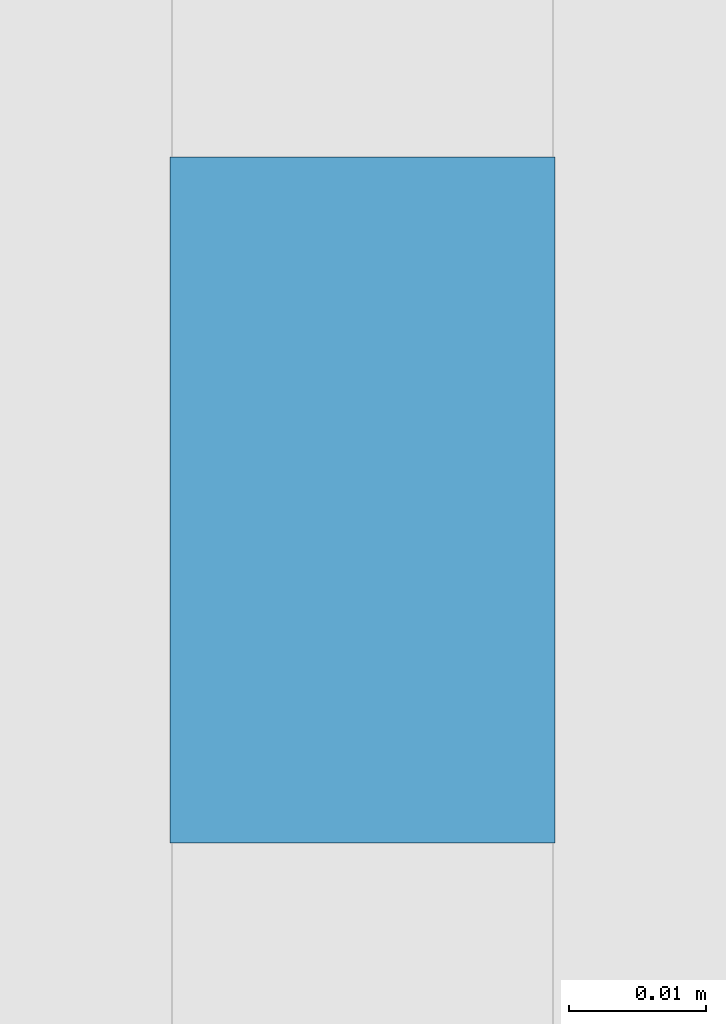
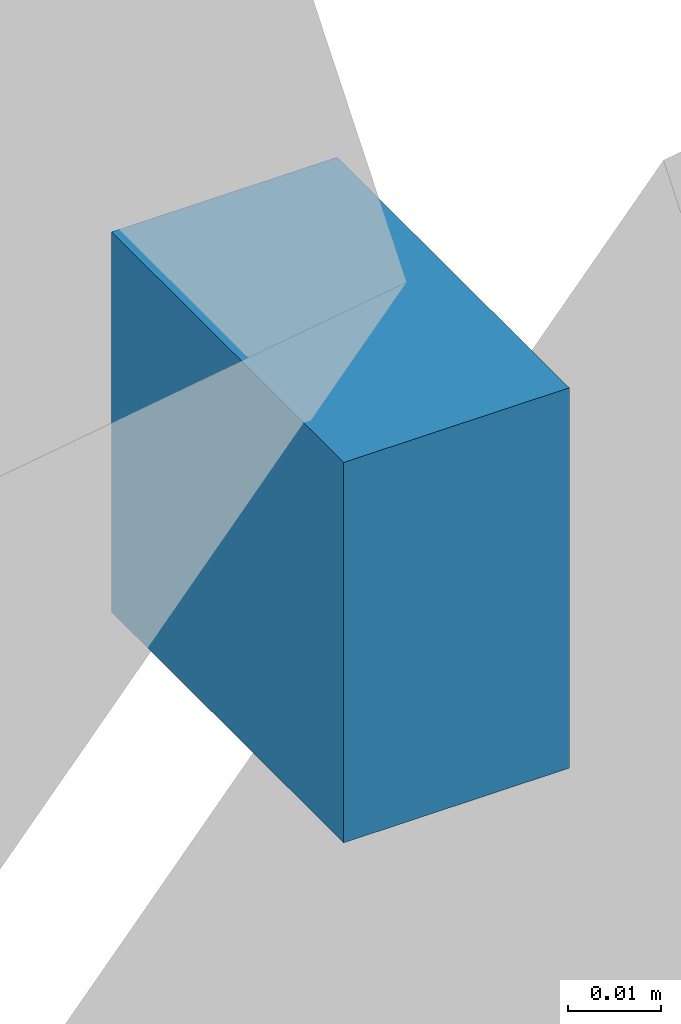
# One storey, part 13 of 16: 1 discrete accessory, 1 element without a shape of its own.
"""IFC4 building model written with IfcOpenShell, lengths in metres."""

from ifc_helpers import new_model, si_unit, direction, frame, origin, origin_2d, place, context, subcontext, project, spatial, rectangle, extrude, material, type_object, element, aggregate, save


model = new_model("IFC4")

# Units and contexts
model_context = context("Model", 3, precision=1e-05, world=origin(), true_north=direction((0.0, 1.0)))
body_context = subcontext(model_context, "Body", "Model", "MODEL_VIEW")
ifc_project = project(units=[si_unit("LENGTHUNIT", "METRE"), si_unit("AREAUNIT", "SQUARE_METRE"), si_unit("VOLUMEUNIT", "CUBIC_METRE"), si_unit("PLANEANGLEUNIT", "RADIAN"), si_unit("MASSUNIT", "GRAM", prefix="KILO")], contexts=[model_context])

# Site, building, storey
site_placement = place(None, origin())
site = spatial("IfcSite", under=ifc_project, at=site_placement, CompositionType="ELEMENT")
building_placement = place(site_placement, origin())
building = spatial("IfcBuilding", under=site, at=building_placement, Name="Tessera Arch", CompositionType="ELEMENT")
storey_placement = place(building_placement, frame((0.0, 0.0, 218.89990234375)))
storey = spatial("IfcBuildingStorey", under=building, at=storey_placement, Name="L52", CompositionType="ELEMENT", Elevation=218.89990234375)

# Curtain wall, discrete accessory
ifc_material = material(Name="CW3 curtain wall")
curtain_wall_type = type_object("IfcCurtainWallType", Name="CW3 curtain wall", PredefinedType="NOTDEFINED", material=ifc_material)
curtain_wall_placement = place(storey_placement, origin())
curtain_wall = element("IfcCurtainWall", 1, at=curtain_wall_placement, inside=storey, type_object=curtain_wall_type, Name="CW3 curtain wall E54.27/1 L52", PredefinedType="NOTDEFINED")
discrete_accessory_placement = place(storey_placement, frame((54.0439453125, 40.696044921875, 0.2666015625), z_axis=(0.0, 0.0, 1.0), x_axis=(0.0, 1.0, 0.0)))
discrete_accessory = element("IfcDiscreteAccessory", 2, at=discrete_accessory_placement, Name="Glazing bracket", PredefinedType="BRACKET", context=body_context, shape_type="SweptSolid", body=[
    extrude(rectangle(XDim=0.050048828125, YDim=0.028076171875, at=origin_2d()), origin(), (0.0, 0.0, 1.0), 0.050048828125),
])
aggregate(curtain_wall, [discrete_accessory])

save(model, "model.ifc")
